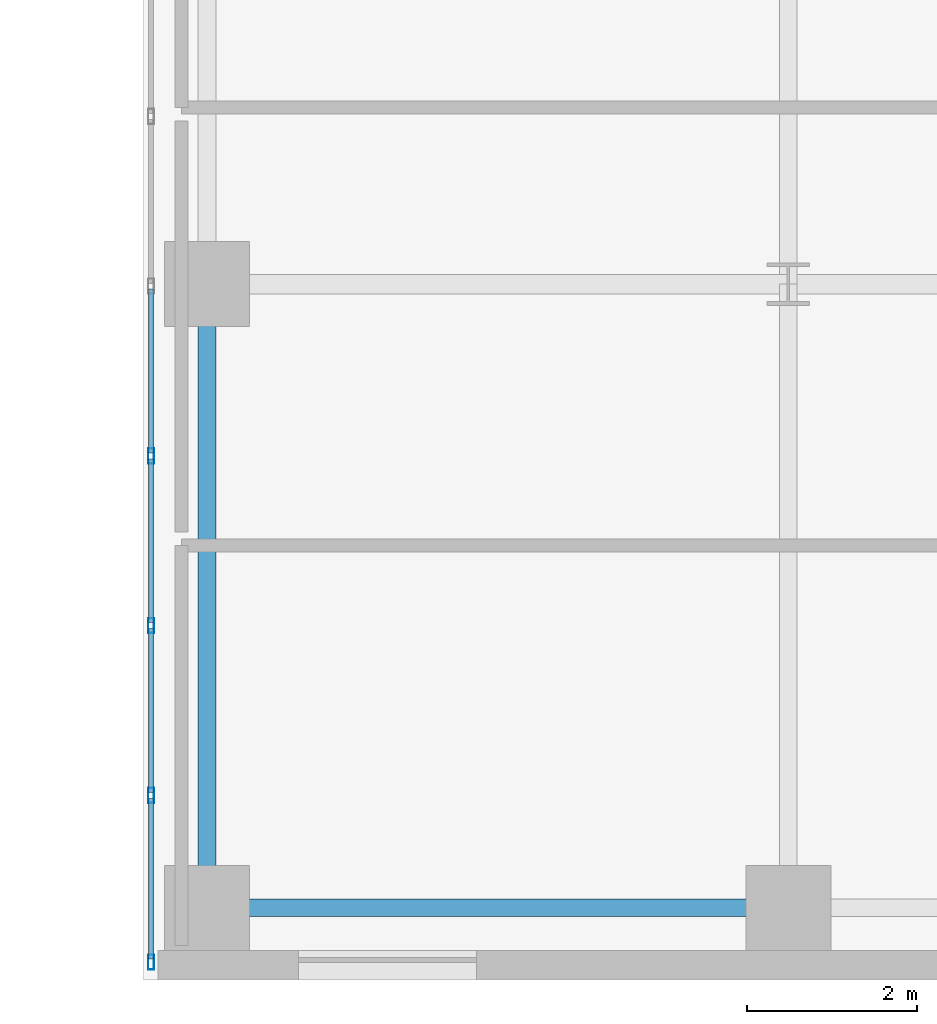
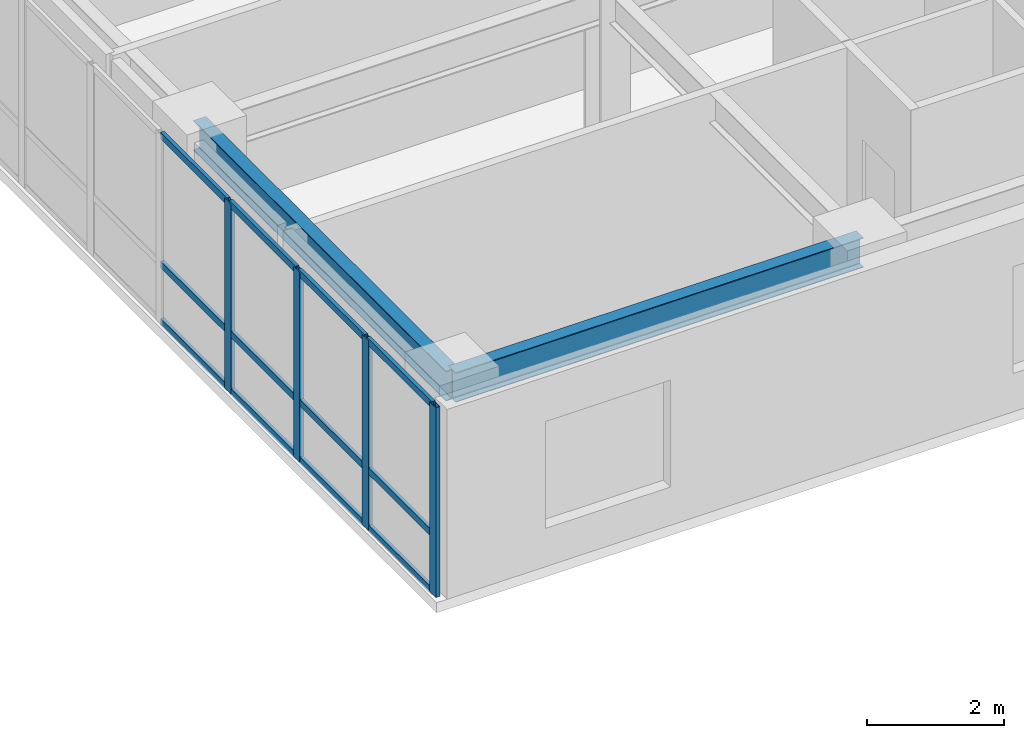
# One storey, part 5 of 17: 16 members, 2 beams, 1 element without a shape of its own.
"""IFC4 building model written with IfcOpenShell, lengths in metres."""

from ifc_helpers import new_model, si_unit, direction, frame, origin, origin_2d, place, context, subcontext, project, spatial, hollow_rectangle, i_section, extrude, source, transform, mapped, material, layer, layer_set, material_profile, profile_set, type_object, type_shapes, element, aggregate, save


model = new_model("IFC4")

# Units and contexts
model_context = context("Model", 3, precision=1e-05, world=origin(), true_north=direction((0.0, 1.0)))
body_context = subcontext(model_context, "Body", "Model", "MODEL_VIEW")
ifc_project = project(units=[si_unit("LENGTHUNIT", "METRE"), si_unit("AREAUNIT", "SQUARE_METRE"), si_unit("VOLUMEUNIT", "CUBIC_METRE"), si_unit("PLANEANGLEUNIT", "RADIAN"), si_unit("MASSUNIT", "GRAM", prefix="KILO")], contexts=[model_context])

# Site, building, storey
site_placement = place(None, origin())
site = spatial("IfcSite", under=ifc_project, at=site_placement, CompositionType="ELEMENT")
building_placement = place(site_placement, origin())
building = spatial("IfcBuilding", under=site, at=building_placement, Name="Tolvann Quenvar Hotel", CompositionType="ELEMENT")
storey_placement = place(building_placement, frame((0.0, 0.0, 42.64990234375)))
storey = spatial("IfcBuildingStorey", under=building, at=storey_placement, Name="L09", CompositionType="ELEMENT", Elevation=42.64990234375)

# Beams
ifc_material_1 = material(Name="Steel Grade 350", Category="steel")
ifc_material_profile_1 = material_profile(ifc_material_1, i_section(OverallWidth=0.208984375, OverallDepth=0.528076171875, WebThickness=0.009521484375, FlangeThickness=0.01318359375, FilletRadius=0.013916015625, at=origin_2d()), Name="530UB82")
ifc_profile_set_1 = profile_set([ifc_material_profile_1], Name="Steel Grade 350")
beam_type_1 = type_object("IfcBeamType", Name="BM_SPAND_530UB82", PredefinedType="SPANDREL", material=ifc_profile_set_1)
shared_shape_1 = source(origin(), body_context, "Body", "SweptSolid", [
    extrude(i_section(OverallWidth=0.208984375, OverallDepth=0.528076171875, WebThickness=0.009521484375, FlangeThickness=0.01318359375, FilletRadius=0.013916015625, at=origin_2d()), origin(), (0.0, 0.0, 1.0), 6.85009765625),
])
type_shapes(beam_type_1, [shared_shape_1])
beam_1_placement = place(storey_placement, frame((34.949951171875, 0.85009765625, 3.106201171875), z_axis=(1.0, 0.0, 0.0), x_axis=(0.0, 1.0, 0.0)))
element("IfcBeam", 1, at=beam_1_placement, inside=storey, type_object=beam_type_1, Name="BM-L09-EW-2-F2-H2", PredefinedType="SPANDREL", context=body_context, shape_type="MappedRepresentation", body=[
    mapped(shared_shape_1, transform((0.0, 0.0, 0.0), x_axis=(1.0, 0.0, 0.0), y_axis=(0.0, 1.0, 0.0), z_axis=(0.0, 0.0, 1.0), scale=1.0)),
])
ifc_material_profile_2 = material_profile(ifc_material_1, i_section(OverallWidth=0.208984375, OverallDepth=0.532958984375, WebThickness=0.01025390625, FlangeThickness=0.015625, FilletRadius=0.013916015625, at=origin_2d()), Name="530UB92")
ifc_profile_set_2 = profile_set([ifc_material_profile_2], Name="Steel Grade 350")
beam_type_2 = type_object("IfcBeamType", Name="BM_GIRD_530UB92", PredefinedType="BEAM", material=ifc_profile_set_2)
shared_shape_2 = source(origin(), body_context, "Body", "SweptSolid", [
    extrude(i_section(OverallWidth=0.208984375, OverallDepth=0.532958984375, WebThickness=0.01025390625, FlangeThickness=0.015625, FilletRadius=0.013916015625, at=origin_2d()), origin(), (0.0, 0.0, 1.0), 7.349853515625),
])
type_shapes(beam_type_2, [shared_shape_2])
beam_2_placement = place(storey_placement, frame((34.949951171875, 0.85009765625, 3.103515625), z_axis=(0.0, 1.0, 0.0), x_axis=(-1.0, 0.0, 0.0)))
element("IfcBeam", 2, at=beam_2_placement, inside=storey, type_object=beam_type_2, Name="BM-L09-NS-F2-F3", PredefinedType="BEAM", context=body_context, shape_type="MappedRepresentation", body=[
    mapped(shared_shape_2, transform((0.0, 0.0, 0.0), x_axis=(1.0, 0.0, 0.0), y_axis=(0.0, 1.0, 0.0), z_axis=(0.0, 0.0, 1.0), scale=1.0)),
])

# Curtain wall, members
ifc_material_2 = material(Name="Thermally broken anodised architectural aluminium 6063-T6 and laminated low-E glass", Category="aluminium")
ifc_layer = layer(ifc_material_2, 0.179931640625)
ifc_layer_set = layer_set([ifc_layer], Name="Thermally broken anodised architectural aluminium 6063-T6 and laminated low-E glass")
curtain_wall_type = type_object("IfcCurtainWallType", Name="CW_SYS_SLOT_03", PredefinedType="USERDEFINED", material=ifc_layer_set)
curtain_wall_placement = place(storey_placement, origin())
curtain_wall = element("IfcCurtainWall", 3, at=curtain_wall_placement, inside=storey, type_object=curtain_wall_type, Name="Curtain Wall CW-SLOT-03 (CWR-L09-E07)", ObjectType="UNITISED CURTAIN WALL", PredefinedType="USERDEFINED")
ifc_material_3 = material(Name="Anodised architectural aluminium 6063-T6 framing", Category="aluminium")
ifc_material_profile_3 = material_profile(ifc_material_3, hollow_rectangle(XDim=0.070068359375, YDim=0.179931640625, WallThickness=0.00390625, at=origin_2d()), Name="180x70x4RHS")
ifc_profile_set_3 = profile_set([ifc_material_profile_3], Name="Anodised architectural aluminium 6063-T6 framing")
member_type_1 = type_object("IfcMemberType", Name="CW_MULL_180x70", PredefinedType="MULLION", material=ifc_profile_set_3)
shared_shape_3 = source(origin(), body_context, "Body", "SweptSolid", [
    extrude(hollow_rectangle(XDim=0.070068359375, YDim=0.179931640625, WallThickness=0.00390625, at=origin_2d()), origin(), (0.0, 0.0, 1.0), 3.3701171875),
])
type_shapes(member_type_1, [shared_shape_3])
member_1_placement = place(storey_placement, frame((34.2900390625, 6.175048828125, 0.0), z_axis=(0.0, 0.0, 1.0), x_axis=(1.0, 0.0, 0.0)))
member_1 = element("IfcMember", 4, at=member_1_placement, type_object=member_type_1, Name="CW-SLOT-03 mullion 6", PredefinedType="MULLION", context=body_context, shape_type="MappedRepresentation", body=[
    mapped(shared_shape_3, transform((0.0, 0.0, 0.0), x_axis=(1.0, 0.0, 0.0), y_axis=(0.0, 1.0, 0.0), z_axis=(0.0, 0.0, 1.0), scale=1.0)),
])
member_2_placement = place(storey_placement, frame((34.2900390625, 4.175048828125, 0.0), z_axis=(0.0, 0.0, 1.0), x_axis=(1.0, 0.0, 0.0)))
member_2 = element("IfcMember", 5, at=member_2_placement, type_object=member_type_1, Name="CW-SLOT-03 mullion 7", PredefinedType="MULLION", context=body_context, shape_type="MappedRepresentation", body=[
    mapped(shared_shape_3, transform((0.0, 0.0, 0.0), x_axis=(1.0, 0.0, 0.0), y_axis=(0.0, 1.0, 0.0), z_axis=(0.0, 0.0, 1.0), scale=1.0)),
])
member_3_placement = place(storey_placement, frame((34.2900390625, 2.175048828125, 0.0), z_axis=(0.0, 0.0, 1.0), x_axis=(1.0, 0.0, 0.0)))
member_3 = element("IfcMember", 6, at=member_3_placement, type_object=member_type_1, Name="CW-SLOT-03 mullion 8", PredefinedType="MULLION", context=body_context, shape_type="MappedRepresentation", body=[
    mapped(shared_shape_3, transform((0.0, 0.0, 0.0), x_axis=(1.0, 0.0, 0.0), y_axis=(0.0, 1.0, 0.0), z_axis=(0.0, 0.0, 1.0), scale=1.0)),
])
member_4_placement = place(storey_placement, frame((34.2900390625, 0.2099609375, 0.0), z_axis=(0.0, 0.0, 1.0), x_axis=(1.0, 0.0, 0.0)))
member_4 = element("IfcMember", 7, at=member_4_placement, type_object=member_type_1, Name="CW-SLOT-03 mullion 9", PredefinedType="MULLION", context=body_context, shape_type="MappedRepresentation", body=[
    mapped(shared_shape_3, transform((0.0, 0.0, 0.0), x_axis=(1.0, 0.0, 0.0), y_axis=(0.0, 1.0, 0.0), z_axis=(0.0, 0.0, 1.0), scale=1.0)),
])
ifc_material_profile_4 = material_profile(ifc_material_3, hollow_rectangle(XDim=0.06005859375, YDim=0.1201171875, WallThickness=0.00341796875, at=origin_2d()), Name="120x60x3.5RHS")
ifc_profile_set_4 = profile_set([ifc_material_profile_4], Name="Anodised architectural aluminium 6063-T6 framing")
member_type_2 = type_object("IfcMemberType", Name="CW_TRAN_120x60", PredefinedType="USERDEFINED", material=ifc_profile_set_4)
shared_shape_4 = source(origin(), body_context, "Body", "SweptSolid", [
    extrude(hollow_rectangle(XDim=0.06005859375, YDim=0.1201171875, WallThickness=0.00341796875, at=origin_2d()), origin(), (0.0, 0.0, 1.0), 1.894775390625),
])
member_5_placement = place(storey_placement, frame((34.2900390625, 2.139892578125, 0.030029296875), z_axis=(0.0, -1.0, 0.0), x_axis=(1.0, 0.0, 0.0)))
member_5 = element("IfcMember", 8, at=member_5_placement, type_object=member_type_2, Name="CW-SLOT-03 transom 8.1", ObjectType="TRANSOM", PredefinedType="USERDEFINED", context=body_context, shape_type="MappedRepresentation", body=[
    mapped(shared_shape_4, transform((0.0, 0.0, 0.0), x_axis=(1.0, 0.0, 0.0), y_axis=(0.0, 1.0, 0.0), z_axis=(0.0, 0.0, 1.0), scale=1.0)),
])
member_6_placement = place(storey_placement, frame((34.2900390625, 2.139892578125, 1.050048828125), z_axis=(0.0, -1.0, 0.0), x_axis=(1.0, 0.0, 0.0)))
member_6 = element("IfcMember", 9, at=member_6_placement, type_object=member_type_2, Name="CW-SLOT-03 transom 8.2", ObjectType="TRANSOM", PredefinedType="USERDEFINED", context=body_context, shape_type="MappedRepresentation", body=[
    mapped(shared_shape_4, transform((0.0, 0.0, 0.0), x_axis=(1.0, 0.0, 0.0), y_axis=(0.0, 1.0, 0.0), z_axis=(0.0, 0.0, 1.0), scale=1.0)),
])
member_7_placement = place(storey_placement, frame((34.2900390625, 2.139892578125, 3.340087890625), z_axis=(0.0, -1.0, 0.0), x_axis=(1.0, 0.0, 0.0)))
member_7 = element("IfcMember", 10, at=member_7_placement, type_object=member_type_2, Name="CW-SLOT-03 transom 8.3", ObjectType="TRANSOM", PredefinedType="USERDEFINED", context=body_context, shape_type="MappedRepresentation", body=[
    mapped(shared_shape_4, transform((0.0, 0.0, 0.0), x_axis=(1.0, 0.0, 0.0), y_axis=(0.0, 1.0, 0.0), z_axis=(0.0, 0.0, 1.0), scale=1.0)),
])
shared_shape_5 = source(origin(), body_context, "Body", "SweptSolid", [
    extrude(hollow_rectangle(XDim=0.06005859375, YDim=0.1201171875, WallThickness=0.00341796875, at=origin_2d()), origin(), (0.0, 0.0, 1.0), 1.929931640625),
])
type_shapes(member_type_2, [shared_shape_4, shared_shape_5])
member_8_placement = place(storey_placement, frame((34.2900390625, 8.139892578125, 0.030029296875), z_axis=(0.0, -1.0, 0.0), x_axis=(1.0, 0.0, 0.0)))
member_8 = element("IfcMember", 11, at=member_8_placement, type_object=member_type_2, Name="CW-SLOT-03 transom 5.1", ObjectType="TRANSOM", PredefinedType="USERDEFINED", context=body_context, shape_type="MappedRepresentation", body=[
    mapped(shared_shape_5, transform((0.0, 0.0, 0.0), x_axis=(1.0, 0.0, 0.0), y_axis=(0.0, 1.0, 0.0), z_axis=(0.0, 0.0, 1.0), scale=1.0)),
])
member_9_placement = place(storey_placement, frame((34.2900390625, 8.139892578125, 1.050048828125), z_axis=(0.0, -1.0, 0.0), x_axis=(1.0, 0.0, 0.0)))
member_9 = element("IfcMember", 12, at=member_9_placement, type_object=member_type_2, Name="CW-SLOT-03 transom 5.2", ObjectType="TRANSOM", PredefinedType="USERDEFINED", context=body_context, shape_type="MappedRepresentation", body=[
    mapped(shared_shape_5, transform((0.0, 0.0, 0.0), x_axis=(1.0, 0.0, 0.0), y_axis=(0.0, 1.0, 0.0), z_axis=(0.0, 0.0, 1.0), scale=1.0)),
])
member_10_placement = place(storey_placement, frame((34.2900390625, 8.139892578125, 3.340087890625), z_axis=(0.0, -1.0, 0.0), x_axis=(1.0, 0.0, 0.0)))
member_10 = element("IfcMember", 13, at=member_10_placement, type_object=member_type_2, Name="CW-SLOT-03 transom 5.3", ObjectType="TRANSOM", PredefinedType="USERDEFINED", context=body_context, shape_type="MappedRepresentation", body=[
    mapped(shared_shape_5, transform((0.0, 0.0, 0.0), x_axis=(1.0, 0.0, 0.0), y_axis=(0.0, 1.0, 0.0), z_axis=(0.0, 0.0, 1.0), scale=1.0)),
])
member_11_placement = place(storey_placement, frame((34.2900390625, 6.139892578125, 0.030029296875), z_axis=(0.0, -1.0, 0.0), x_axis=(1.0, 0.0, 0.0)))
member_11 = element("IfcMember", 14, at=member_11_placement, type_object=member_type_2, Name="CW-SLOT-03 transom 6.1", ObjectType="TRANSOM", PredefinedType="USERDEFINED", context=body_context, shape_type="MappedRepresentation", body=[
    mapped(shared_shape_5, transform((0.0, 0.0, 0.0), x_axis=(1.0, 0.0, 0.0), y_axis=(0.0, 1.0, 0.0), z_axis=(0.0, 0.0, 1.0), scale=1.0)),
])
member_12_placement = place(storey_placement, frame((34.2900390625, 6.139892578125, 1.050048828125), z_axis=(0.0, -1.0, 0.0), x_axis=(1.0, 0.0, 0.0)))
member_12 = element("IfcMember", 15, at=member_12_placement, type_object=member_type_2, Name="CW-SLOT-03 transom 6.2", ObjectType="TRANSOM", PredefinedType="USERDEFINED", context=body_context, shape_type="MappedRepresentation", body=[
    mapped(shared_shape_5, transform((0.0, 0.0, 0.0), x_axis=(1.0, 0.0, 0.0), y_axis=(0.0, 1.0, 0.0), z_axis=(0.0, 0.0, 1.0), scale=1.0)),
])
member_13_placement = place(storey_placement, frame((34.2900390625, 6.139892578125, 3.340087890625), z_axis=(0.0, -1.0, 0.0), x_axis=(1.0, 0.0, 0.0)))
member_13 = element("IfcMember", 16, at=member_13_placement, type_object=member_type_2, Name="CW-SLOT-03 transom 6.3", ObjectType="TRANSOM", PredefinedType="USERDEFINED", context=body_context, shape_type="MappedRepresentation", body=[
    mapped(shared_shape_5, transform((0.0, 0.0, 0.0), x_axis=(1.0, 0.0, 0.0), y_axis=(0.0, 1.0, 0.0), z_axis=(0.0, 0.0, 1.0), scale=1.0)),
])
member_14_placement = place(storey_placement, frame((34.2900390625, 4.139892578125, 0.030029296875), z_axis=(0.0, -1.0, 0.0), x_axis=(1.0, 0.0, 0.0)))
member_14 = element("IfcMember", 17, at=member_14_placement, type_object=member_type_2, Name="CW-SLOT-03 transom 7.1", ObjectType="TRANSOM", PredefinedType="USERDEFINED", context=body_context, shape_type="MappedRepresentation", body=[
    mapped(shared_shape_5, transform((0.0, 0.0, 0.0), x_axis=(1.0, 0.0, 0.0), y_axis=(0.0, 1.0, 0.0), z_axis=(0.0, 0.0, 1.0), scale=1.0)),
])
member_15_placement = place(storey_placement, frame((34.2900390625, 4.139892578125, 1.050048828125), z_axis=(0.0, -1.0, 0.0), x_axis=(1.0, 0.0, 0.0)))
member_15 = element("IfcMember", 18, at=member_15_placement, type_object=member_type_2, Name="CW-SLOT-03 transom 7.2", ObjectType="TRANSOM", PredefinedType="USERDEFINED", context=body_context, shape_type="MappedRepresentation", body=[
    mapped(shared_shape_5, transform((0.0, 0.0, 0.0), x_axis=(1.0, 0.0, 0.0), y_axis=(0.0, 1.0, 0.0), z_axis=(0.0, 0.0, 1.0), scale=1.0)),
])
member_16_placement = place(storey_placement, frame((34.2900390625, 4.139892578125, 3.340087890625), z_axis=(0.0, -1.0, 0.0), x_axis=(1.0, 0.0, 0.0)))
member_16 = element("IfcMember", 19, at=member_16_placement, type_object=member_type_2, Name="CW-SLOT-03 transom 7.3", ObjectType="TRANSOM", PredefinedType="USERDEFINED", context=body_context, shape_type="MappedRepresentation", body=[
    mapped(shared_shape_5, transform((0.0, 0.0, 0.0), x_axis=(1.0, 0.0, 0.0), y_axis=(0.0, 1.0, 0.0), z_axis=(0.0, 0.0, 1.0), scale=1.0)),
])
aggregate(curtain_wall, [member_1, member_2, member_3, member_4, member_8, member_9, member_10, member_11, member_12, member_13, member_14, member_15, member_16, member_5, member_6, member_7])

save(model, "model.ifc")
